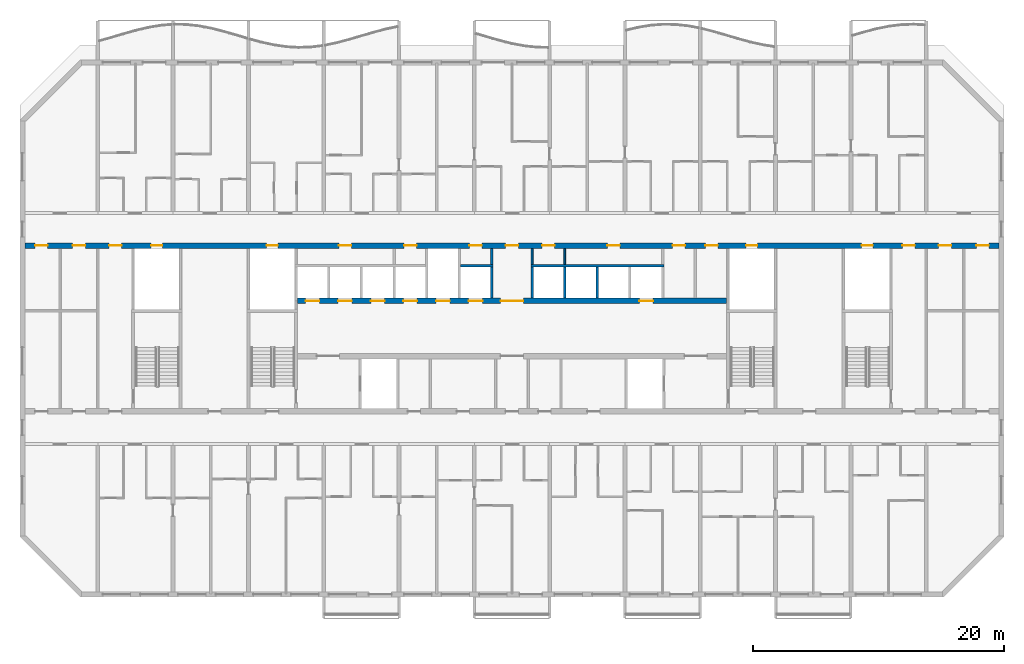
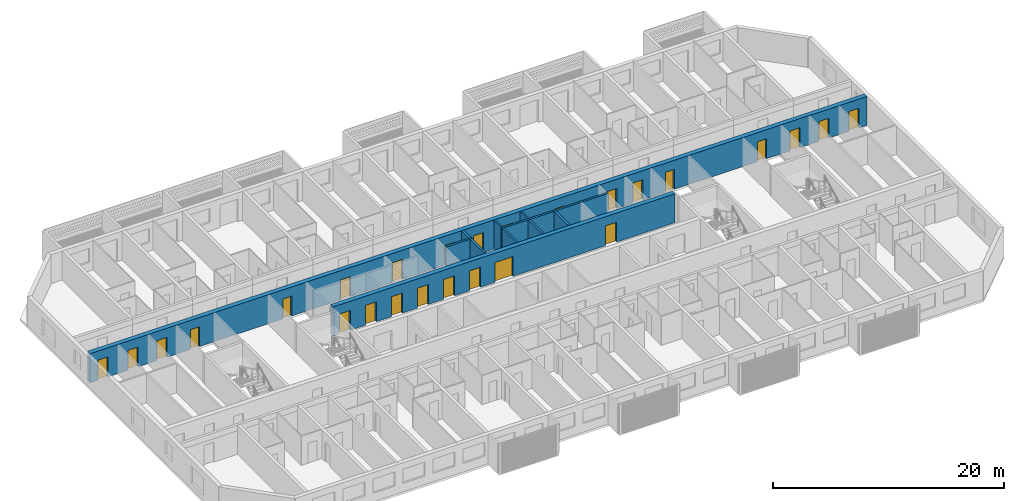
# One storey, part 7 of 32: 26 doors, 11 walls, 26 openings.
"""IFC4 building model written with IfcOpenShell, lengths in metres."""

from ifc_helpers import new_model, si_unit, direction, frame, frame_2d, origin, place, context, subcontext, project, spatial, rectangle, extrude, material, layer, layer_set, type_object, element, fill, save


model = new_model("IFC4")

# Units and contexts
model_context = context("Model", 3, precision=1e-05, world=origin(), true_north=direction((0.0, 1.0)))
body_context = subcontext(model_context, "Body", "Model", "MODEL_VIEW")
ifc_project = project(units=[si_unit("LENGTHUNIT", "METRE"), si_unit("AREAUNIT", "SQUARE_METRE"), si_unit("VOLUMEUNIT", "CUBIC_METRE"), si_unit("PLANEANGLEUNIT", "RADIAN"), si_unit("MASSUNIT", "GRAM", prefix="KILO")], contexts=[model_context])

# Site, building, storey
site_placement = place(None, origin())
site = spatial("IfcSite", under=ifc_project, at=site_placement, CompositionType="ELEMENT")
building_placement = place(site_placement, origin())
building = spatial("IfcBuilding", under=site, at=building_placement, Name="Poui Terraces", CompositionType="ELEMENT")
storey_placement = place(building_placement, frame((0.0, 0.0, 122.39990234375)))
storey = spatial("IfcBuildingStorey", under=building, at=storey_placement, Name="L33", CompositionType="ELEMENT", Elevation=122.39990234375)

# Wall, openings, doors
ifc_material_1 = material(Name="Concrete 65 MPa", Category="concrete")
ifc_layer_1 = layer(ifc_material_1, 0.449951171875)
ifc_layer_set_1 = layer_set([ifc_layer_1], Name="Concrete 65 MPa")
wall_type_1 = type_object("IfcWallType", Name="CORE WALL 450 65 MPA", PredefinedType="SOLIDWALL", material=ifc_layer_set_1)
wall_1_placement = place(storey_placement, frame((33.925048828125, 23.39990234375, 0.0), z_axis=(0.0, 0.0, 1.0), x_axis=(1.0, 0.0, 0.0)))
wall_1 = element("IfcWall", 1, at=wall_1_placement, inside=storey, type_object=wall_type_1, Name="CORE WALL", PredefinedType="SOLIDWALL", context=body_context, shape_type="SweptSolid", body=[
    extrude(rectangle(XDim=34.14990234375, YDim=0.449951171875, at=frame_2d((17.074951171875, 0.0))), origin(), (0.0, 0.0, 1.0), 3.070068359375),
])
opening_1_placement = place(wall_1_placement, frame((16.175048828125, 0.0, 0.0)))
opening_1 = element("IfcOpeningElement", 2, at=opening_1_placement, cuts=wall_1, Name="Opening FDD60", PredefinedType="OPENING", context=body_context, shape_type="SweptSolid", body=[
    extrude(rectangle(XDim=1.800048828125, YDim=2.10009765625, at=frame_2d((0.89990234375, 1.050048828125))), frame((0.0, 0.23486328125, 0.0), z_axis=(0.0, -1.0, 0.0), x_axis=(1.0, 0.0, 0.0)), (0.0, 0.0, 1.0), 0.469970703125),
])
opening_2_placement = place(wall_1_placement, frame((0.625, 0.0, 0.0)))
opening_2 = element("IfcOpeningElement", 3, at=opening_2_placement, cuts=wall_1, Name="Opening LD", PredefinedType="OPENING", context=body_context, shape_type="SweptSolid", body=[
    extrude(rectangle(XDim=1.10009765625, YDim=2.10009765625, at=frame_2d((0.550048828125, 1.050048828125))), frame((0.0, 0.23486328125, 0.0), z_axis=(0.0, -1.0, 0.0), x_axis=(1.0, 0.0, 0.0)), (0.0, 0.0, 1.0), 0.469970703125),
])
opening_3_placement = place(wall_1_placement, frame((3.22509765625, 0.0, 0.0)))
opening_3 = element("IfcOpeningElement", 4, at=opening_3_placement, cuts=wall_1, Name="Opening LD", PredefinedType="OPENING", context=body_context, shape_type="SweptSolid", body=[
    extrude(rectangle(XDim=1.10009765625, YDim=2.10009765625, at=frame_2d((0.550048828125, 1.050048828125))), frame((0.0, 0.23486328125, 0.0), z_axis=(0.0, -1.0, 0.0), x_axis=(1.0, 0.0, 0.0)), (0.0, 0.0, 1.0), 0.469970703125),
])
opening_4_placement = place(wall_1_placement, frame((5.824951171875, 0.0, 0.0)))
opening_4 = element("IfcOpeningElement", 5, at=opening_4_placement, cuts=wall_1, Name="Opening LD", PredefinedType="OPENING", context=body_context, shape_type="SweptSolid", body=[
    extrude(rectangle(XDim=1.10009765625, YDim=2.10009765625, at=frame_2d((0.550048828125, 1.050048828125))), frame((0.0, 0.23486328125, 0.0), z_axis=(0.0, -1.0, 0.0), x_axis=(1.0, 0.0, 0.0)), (0.0, 0.0, 1.0), 0.469970703125),
])
opening_5_placement = place(wall_1_placement, frame((8.425048828125, 0.0, 0.0)))
opening_5 = element("IfcOpeningElement", 6, at=opening_5_placement, cuts=wall_1, Name="Opening LD", PredefinedType="OPENING", context=body_context, shape_type="SweptSolid", body=[
    extrude(rectangle(XDim=1.10009765625, YDim=2.10009765625, at=frame_2d((0.550048828125, 1.050048828125))), frame((0.0, 0.23486328125, 0.0), z_axis=(0.0, -1.0, 0.0), x_axis=(1.0, 0.0, 0.0)), (0.0, 0.0, 1.0), 0.469970703125),
])
opening_6_placement = place(wall_1_placement, frame((11.02490234375, 0.0, 0.0)))
opening_6 = element("IfcOpeningElement", 7, at=opening_6_placement, cuts=wall_1, Name="Opening LD", PredefinedType="OPENING", context=body_context, shape_type="SweptSolid", body=[
    extrude(rectangle(XDim=1.10009765625, YDim=2.10009765625, at=frame_2d((0.550048828125, 1.050048828125))), frame((0.0, 0.23486328125, 0.0), z_axis=(0.0, -1.0, 0.0), x_axis=(1.0, 0.0, 0.0)), (0.0, 0.0, 1.0), 0.469970703125),
])
opening_7_placement = place(wall_1_placement, frame((13.625, 0.0, 0.0)))
opening_7 = element("IfcOpeningElement", 8, at=opening_7_placement, cuts=wall_1, Name="Opening LD", PredefinedType="OPENING", context=body_context, shape_type="SweptSolid", body=[
    extrude(rectangle(XDim=1.10009765625, YDim=2.10009765625, at=frame_2d((0.550048828125, 1.050048828125))), frame((0.0, 0.23486328125, 0.0), z_axis=(0.0, -1.0, 0.0), x_axis=(1.0, 0.0, 0.0)), (0.0, 0.0, 1.0), 0.469970703125),
])
opening_8_placement = place(wall_1_placement, frame((27.22509765625, 0.0, 0.0)))
opening_8 = element("IfcOpeningElement", 9, at=opening_8_placement, cuts=wall_1, Name="Opening LD", PredefinedType="OPENING", context=body_context, shape_type="SweptSolid", body=[
    extrude(rectangle(XDim=1.10009765625, YDim=2.10009765625, at=frame_2d((0.550048828125, 1.050048828125))), frame((0.0, 0.23486328125, 0.0), z_axis=(0.0, -1.0, 0.0), x_axis=(1.0, 0.0, 0.0)), (0.0, 0.0, 1.0), 0.469970703125),
])
ifc_material_2 = material(Name="Steel fire door", Category="steel")
door_type_1 = type_object("IfcDoorType", Name="DOUBLE LOBBY FIRE DOOR 1800 X 2100", OperationType="DOUBLE_DOOR_SINGLE_SWING", PredefinedType="DOOR", material=ifc_material_2)
door_1_placement = place(opening_1_placement, origin())
door_1 = element("IfcDoor", 10, at=door_1_placement, inside=storey, type_object=door_type_1, Name="DOUBLE LOBBY FIRE DOOR 125", OperationType="DOUBLE_DOOR_SINGLE_SWING", OverallHeight=2.10009765625, OverallWidth=1.800048828125, PredefinedType="DOOR", context=body_context, shape_type="SweptSolid", body=[
    extrude(rectangle(XDim=1.800048828125, YDim=2.10009765625, at=frame_2d((0.89990234375, 1.050048828125))), frame((0.0, 0.02490234375, 0.0), z_axis=(0.0, -1.0, 0.0), x_axis=(1.0, 0.0, 0.0)), (0.0, 0.0, 1.0), 0.050048828125),
])
fill(opening_1, door_1)
ifc_material_3 = material(Name="Stainless steel sliding door", Category="steel")
door_type_2 = type_object("IfcDoorType", Name="LIFT LANDING DOOR 1100 X 2100", OperationType="DOUBLE_DOOR_SLIDING", PredefinedType="DOOR", material=ifc_material_3)
door_2_placement = place(opening_2_placement, origin())
door_2 = element("IfcDoor", 11, at=door_2_placement, inside=storey, type_object=door_type_2, Name="LANDING DOOR", OperationType="DOUBLE_DOOR_SLIDING", OverallHeight=2.10009765625, OverallWidth=1.10009765625, PredefinedType="DOOR", context=body_context, shape_type="SweptSolid", body=[
    extrude(rectangle(XDim=1.10009765625, YDim=2.10009765625, at=frame_2d((0.550048828125, 1.050048828125))), frame((0.0, 0.02490234375, 0.0), z_axis=(0.0, -1.0, 0.0), x_axis=(1.0, 0.0, 0.0)), (0.0, 0.0, 1.0), 0.050048828125),
])
fill(opening_2, door_2)
door_3_placement = place(opening_3_placement, origin())
door_3 = element("IfcDoor", 12, at=door_3_placement, inside=storey, type_object=door_type_2, Name="LANDING DOOR", OperationType="DOUBLE_DOOR_SLIDING", OverallHeight=2.10009765625, OverallWidth=1.10009765625, PredefinedType="DOOR", context=body_context, shape_type="SweptSolid", body=[
    extrude(rectangle(XDim=1.10009765625, YDim=2.10009765625, at=frame_2d((0.550048828125, 1.050048828125))), frame((0.0, 0.02490234375, 0.0), z_axis=(0.0, -1.0, 0.0), x_axis=(1.0, 0.0, 0.0)), (0.0, 0.0, 1.0), 0.050048828125),
])
fill(opening_3, door_3)
door_4_placement = place(opening_4_placement, origin())
door_4 = element("IfcDoor", 13, at=door_4_placement, inside=storey, type_object=door_type_2, Name="LANDING DOOR", OperationType="DOUBLE_DOOR_SLIDING", OverallHeight=2.10009765625, OverallWidth=1.10009765625, PredefinedType="DOOR", context=body_context, shape_type="SweptSolid", body=[
    extrude(rectangle(XDim=1.10009765625, YDim=2.10009765625, at=frame_2d((0.550048828125, 1.050048828125))), frame((0.0, 0.02490234375, 0.0), z_axis=(0.0, -1.0, 0.0), x_axis=(1.0, 0.0, 0.0)), (0.0, 0.0, 1.0), 0.050048828125),
])
fill(opening_4, door_4)
door_5_placement = place(opening_5_placement, origin())
door_5 = element("IfcDoor", 14, at=door_5_placement, inside=storey, type_object=door_type_2, Name="LANDING DOOR", OperationType="DOUBLE_DOOR_SLIDING", OverallHeight=2.10009765625, OverallWidth=1.10009765625, PredefinedType="DOOR", context=body_context, shape_type="SweptSolid", body=[
    extrude(rectangle(XDim=1.10009765625, YDim=2.10009765625, at=frame_2d((0.550048828125, 1.050048828125))), frame((0.0, 0.02490234375, 0.0), z_axis=(0.0, -1.0, 0.0), x_axis=(1.0, 0.0, 0.0)), (0.0, 0.0, 1.0), 0.050048828125),
])
fill(opening_5, door_5)
door_6_placement = place(opening_6_placement, origin())
door_6 = element("IfcDoor", 15, at=door_6_placement, inside=storey, type_object=door_type_2, Name="LANDING DOOR", OperationType="DOUBLE_DOOR_SLIDING", OverallHeight=2.10009765625, OverallWidth=1.10009765625, PredefinedType="DOOR", context=body_context, shape_type="SweptSolid", body=[
    extrude(rectangle(XDim=1.10009765625, YDim=2.10009765625, at=frame_2d((0.550048828125, 1.050048828125))), frame((0.0, 0.02490234375, 0.0), z_axis=(0.0, -1.0, 0.0), x_axis=(1.0, 0.0, 0.0)), (0.0, 0.0, 1.0), 0.050048828125),
])
fill(opening_6, door_6)
door_7_placement = place(opening_7_placement, origin())
door_7 = element("IfcDoor", 16, at=door_7_placement, inside=storey, type_object=door_type_2, Name="LANDING DOOR", OperationType="DOUBLE_DOOR_SLIDING", OverallHeight=2.10009765625, OverallWidth=1.10009765625, PredefinedType="DOOR", context=body_context, shape_type="SweptSolid", body=[
    extrude(rectangle(XDim=1.10009765625, YDim=2.10009765625, at=frame_2d((0.550048828125, 1.050048828125))), frame((0.0, 0.02490234375, 0.0), z_axis=(0.0, -1.0, 0.0), x_axis=(1.0, 0.0, 0.0)), (0.0, 0.0, 1.0), 0.050048828125),
])
fill(opening_7, door_7)
door_8_placement = place(opening_8_placement, origin())
door_8 = element("IfcDoor", 17, at=door_8_placement, inside=storey, type_object=door_type_2, Name="LANDING DOOR", OperationType="DOUBLE_DOOR_SLIDING", OverallHeight=2.10009765625, OverallWidth=1.10009765625, PredefinedType="DOOR", context=body_context, shape_type="SweptSolid", body=[
    extrude(rectangle(XDim=1.10009765625, YDim=2.10009765625, at=frame_2d((0.550048828125, 1.050048828125))), frame((0.0, 0.02490234375, 0.0), z_axis=(0.0, -1.0, 0.0), x_axis=(1.0, 0.0, 0.0)), (0.0, 0.0, 1.0), 0.050048828125),
])
fill(opening_8, door_8)

# Walls
ifc_material_4 = material(Name="Fire-rated plasterboard wall")
ifc_layer_2 = layer(ifc_material_4, 0.14990234375)
ifc_layer_set_2 = layer_set([ifc_layer_2], Name="Fire-rated plasterboard wall")
wall_type_2 = type_object("IfcWallType", Name="CORRIDOR WALL 150", PredefinedType="PARTITIONING", material=ifc_layer_set_2)
wall_2_placement = place(storey_placement, frame((52.60009765625, 26.300048828125, 0.0), z_axis=(0.0, 0.0, 1.0), x_axis=(0.0, 1.0, 0.0)))
element("IfcWall", 18, at=wall_2_placement, inside=storey, type_object=wall_type_2, Name="CORRIDOR WALL 150", PredefinedType="PARTITIONING", context=body_context, shape_type="SweptSolid", body=[
    extrude(rectangle(XDim=1.264892578125, YDim=0.14990234375, at=frame_2d((0.63232421875, 0.0))), origin(), (0.0, 0.0, 1.0), 3.070068359375),
])
ifc_material_5 = material(Name="Plasterboard partition")
ifc_layer_3 = layer(ifc_material_5, 0.14990234375)
ifc_layer_set_3 = layer_set([ifc_layer_3], Name="Plasterboard partition")
wall_type_3 = type_object("IfcWallType", Name="PARTITION WALL 150", PredefinedType="PARTITIONING", material=ifc_layer_set_3)
wall_3_placement = place(storey_placement, frame((55.199951171875, 26.300048828125, 0.0), z_axis=(0.0, 0.0, 1.0), x_axis=(0.0, 1.0, 0.0)))
element("IfcWall", 19, at=wall_3_placement, inside=storey, type_object=wall_type_3, Name="PARTITION WALL 150", PredefinedType="PARTITIONING", context=body_context, shape_type="SweptSolid", body=[
    extrude(rectangle(XDim=1.264892578125, YDim=0.14990234375, at=frame_2d((0.63232421875, 0.0))), origin(), (0.0, 0.0, 1.0), 3.070068359375),
])
ifc_material_6 = material(Name="Fire-rated masonry wall", Category="masonry")
ifc_layer_4 = layer(ifc_material_6, 0.199951171875)
ifc_layer_set_4 = layer_set([ifc_layer_4], Name="Fire-rated masonry wall")
wall_type_4 = type_object("IfcWallType", Name="PLANT ROOM WALL 200", PredefinedType="PARTITIONING", material=ifc_layer_set_4)
wall_4_placement = place(storey_placement, frame((49.39990234375, 26.300048828125, 0.0), z_axis=(0.0, 0.0, 1.0), x_axis=(0.0, 1.0, 0.0)))
element("IfcWall", 20, at=wall_4_placement, inside=storey, type_object=wall_type_4, Name="PLANT ROOM WALL 200", PredefinedType="PARTITIONING", context=body_context, shape_type="SweptSolid", body=[
    extrude(rectangle(XDim=1.264892578125, YDim=0.199951171875, at=frame_2d((0.63232421875, 0.0))), origin(), (0.0, 0.0, 1.0), 3.070068359375),
])
ifc_material_7 = material(Name="Fire-rated masonry shaft wall", Category="masonry")
ifc_layer_5 = layer(ifc_material_7, 0.199951171875)
ifc_layer_set_5 = layer_set([ifc_layer_5], Name="Fire-rated masonry shaft wall")
wall_type_5 = type_object("IfcWallType", Name="SHAFT WALL 200", PredefinedType="PARTITIONING", material=ifc_layer_set_5)
wall_5_placement = place(storey_placement, frame((46.89990234375, 26.199951171875, 0.0), z_axis=(0.0, 0.0, 1.0), x_axis=(1.0, 0.0, 0.0)))
element("IfcWall", 21, at=wall_5_placement, inside=storey, type_object=wall_type_5, Name="SHAFT WALL 200", PredefinedType="PARTITIONING", context=body_context, shape_type="SweptSolid", body=[
    extrude(rectangle(XDim=2.60009765625, YDim=0.199951171875, at=frame_2d((1.300048828125, 0.0))), origin(), (0.0, 0.0, 1.0), 3.070068359375),
])
wall_6_placement = place(storey_placement, frame((52.5, 26.199951171875, 0.0), z_axis=(0.0, 0.0, 1.0), x_axis=(1.0, 0.0, 0.0)))
element("IfcWall", 22, at=wall_6_placement, inside=storey, type_object=wall_type_5, Name="SHAFT WALL 200", PredefinedType="PARTITIONING", context=body_context, shape_type="SweptSolid", body=[
    extrude(rectangle(XDim=10.60009765625, YDim=0.199951171875, at=frame_2d((5.300048828125, 0.0))), origin(), (0.0, 0.0, 1.0), 3.070068359375),
])
for number, where, z_axis, x_axis, name in (
    (23, (49.39990234375, 23.635009765625, 0.0), (0.0, 0.0, 1.0), (0.0, 1.0, 0.0), "SHAFT WALL 200"),
    (24, (52.60009765625, 23.635009765625, 0.0), (0.0, 0.0, 1.0), (0.0, 1.0, 0.0), "SHAFT WALL 200"),
    (25, (55.199951171875, 23.635009765625, 0.0), (0.0, 0.0, 1.0), (0.0, 1.0, 0.0), "SHAFT WALL 200"),
    (26, (57.800048828125, 23.635009765625, 0.0), (0.0, 0.0, 1.0), (0.0, 1.0, 0.0), "SHAFT WALL 200"),
):
    element("IfcWall", number, at=place(storey_placement, frame(where, z_axis=z_axis, x_axis=x_axis)), inside=storey, type_object=wall_type_5, Name=name, PredefinedType="PARTITIONING", context=body_context, shape_type="SweptSolid", body=[
        extrude(rectangle(XDim=2.465087890625, YDim=0.199951171875, at=frame_2d((1.232421875, 0.0))), origin(), (0.0, 0.0, 1.0), 3.070068359375),
    ])

# Wall, openings, doors
ifc_layer_6 = layer(ifc_material_1, 0.449951171875)
ifc_layer_set_6 = layer_set([ifc_layer_6], Name="Concrete 65 MPa")
wall_type_6 = type_object("IfcWallType", Name="SPINE WALL 450 65 MPA", PredefinedType="SOLIDWALL", material=ifc_layer_set_6)
wall_7_placement = place(storey_placement, frame((12.199951171875, 27.800048828125, 0.0), z_axis=(0.0, 0.0, 1.0), x_axis=(1.0, 0.0, 0.0)))
wall_7 = element("IfcWall", 27, at=wall_7_placement, inside=storey, type_object=wall_type_6, Name="SPINE WALL", PredefinedType="SOLIDWALL", context=body_context, shape_type="SweptSolid", body=[
    extrude(rectangle(XDim=77.60009765625, YDim=0.449951171875, at=frame_2d((38.800048828125, 0.0))), origin(), (0.0, 0.0, 1.0), 3.070068359375),
])
opening_9_placement = place(wall_7_placement, frame((0.800048828125, 0.0, 0.0)))
opening_9 = element("IfcOpeningElement", 28, at=opening_9_placement, cuts=wall_7, Name="Opening FD60", PredefinedType="OPENING", context=body_context, shape_type="SweptSolid", body=[
    extrude(rectangle(XDim=1.0, YDim=2.10009765625, at=frame_2d((0.5, 1.050048828125))), frame((0.0, 0.23486328125, 0.0), z_axis=(0.0, -1.0, 0.0), x_axis=(1.0, 0.0, 0.0)), (0.0, 0.0, 1.0), 0.469970703125),
])
opening_10_placement = place(wall_7_placement, frame((3.800048828125, 0.0, 0.0)))
opening_10 = element("IfcOpeningElement", 29, at=opening_10_placement, cuts=wall_7, Name="Opening D100", PredefinedType="OPENING", context=body_context, shape_type="SweptSolid", body=[
    extrude(rectangle(XDim=1.0, YDim=2.10009765625, at=frame_2d((0.5, 1.050048828125))), frame((0.0, 0.23486328125, 0.0), z_axis=(0.0, -1.0, 0.0), x_axis=(1.0, 0.0, 0.0)), (0.0, 0.0, 1.0), 0.469970703125),
])
opening_11_placement = place(wall_7_placement, frame((6.699951171875, 0.0, 0.0)))
opening_11 = element("IfcOpeningElement", 30, at=opening_11_placement, cuts=wall_7, Name="Opening FDL", PredefinedType="OPENING", context=body_context, shape_type="SweptSolid", body=[
    extrude(rectangle(XDim=1.0, YDim=2.10009765625, at=frame_2d((0.5, 1.050048828125))), frame((0.0, 0.23486328125, 0.0), z_axis=(0.0, -1.0, 0.0), x_axis=(1.0, 0.0, 0.0)), (0.0, 0.0, 1.0), 0.469970703125),
])
opening_12_placement = place(wall_7_placement, frame((10.050048828125, 0.0, 0.0)))
opening_12 = element("IfcOpeningElement", 31, at=opening_12_placement, cuts=wall_7, Name="Opening FDR", PredefinedType="OPENING", context=body_context, shape_type="SweptSolid", body=[
    extrude(rectangle(XDim=0.89990234375, YDim=2.10009765625, at=frame_2d((0.449951171875, 1.050048828125))), frame((0.0, 0.23486328125, 0.0), z_axis=(0.0, -1.0, 0.0), x_axis=(1.0, 0.0, 0.0)), (0.0, 0.0, 1.0), 0.469970703125),
])
opening_13_placement = place(wall_7_placement, frame((19.25, 0.0, 0.0)))
opening_13 = element("IfcOpeningElement", 32, at=opening_13_placement, cuts=wall_7, Name="Opening FDR", PredefinedType="OPENING", context=body_context, shape_type="SweptSolid", body=[
    extrude(rectangle(XDim=0.89990234375, YDim=2.10009765625, at=frame_2d((0.449951171875, 1.050048828125))), frame((0.0, 0.23486328125, 0.0), z_axis=(0.0, -1.0, 0.0), x_axis=(1.0, 0.0, 0.0)), (0.0, 0.0, 1.0), 0.469970703125),
])
opening_14_placement = place(wall_7_placement, frame((25.0, 0.0, 0.0)))
opening_14 = element("IfcOpeningElement", 33, at=opening_14_placement, cuts=wall_7, Name="Opening FD60", PredefinedType="OPENING", context=body_context, shape_type="SweptSolid", body=[
    extrude(rectangle(XDim=1.0, YDim=2.10009765625, at=frame_2d((0.5, 1.050048828125))), frame((0.0, 0.23486328125, 0.0), z_axis=(0.0, -1.0, 0.0), x_axis=(1.0, 0.0, 0.0)), (0.0, 0.0, 1.0), 0.469970703125),
])
opening_15_placement = place(wall_7_placement, frame((30.199951171875, 0.0, 0.0)))
opening_15 = element("IfcOpeningElement", 34, at=opening_15_placement, cuts=wall_7, Name="Opening FD60", PredefinedType="OPENING", context=body_context, shape_type="SweptSolid", body=[
    extrude(rectangle(XDim=1.0, YDim=2.10009765625, at=frame_2d((0.5, 1.050048828125))), frame((0.0, 0.23486328125, 0.0), z_axis=(0.0, -1.0, 0.0), x_axis=(1.0, 0.0, 0.0)), (0.0, 0.0, 1.0), 0.469970703125),
])
opening_16_placement = place(wall_7_placement, frame((35.39990234375, 0.0, 0.0)))
opening_16 = element("IfcOpeningElement", 35, at=opening_16_placement, cuts=wall_7, Name="Opening FD60", PredefinedType="OPENING", context=body_context, shape_type="SweptSolid", body=[
    extrude(rectangle(XDim=1.0, YDim=2.10009765625, at=frame_2d((0.5, 1.050048828125))), frame((0.0, 0.23486328125, 0.0), z_axis=(0.0, -1.0, 0.0), x_axis=(1.0, 0.0, 0.0)), (0.0, 0.0, 1.0), 0.469970703125),
])
opening_17_placement = place(wall_7_placement, frame((38.300048828125, 0.0, 0.0)))
opening_17 = element("IfcOpeningElement", 36, at=opening_17_placement, cuts=wall_7, Name="Opening FDL", PredefinedType="OPENING", context=body_context, shape_type="SweptSolid", body=[
    extrude(rectangle(XDim=1.0, YDim=2.10009765625, at=frame_2d((0.5, 1.050048828125))), frame((0.0, 0.23486328125, 0.0), z_axis=(0.0, -1.0, 0.0), x_axis=(1.0, 0.0, 0.0)), (0.0, 0.0, 1.0), 0.469970703125),
])
opening_18_placement = place(wall_7_placement, frame((41.199951171875, 0.0, 0.0)))
opening_18 = element("IfcOpeningElement", 37, at=opening_18_placement, cuts=wall_7, Name="Opening FD60", PredefinedType="OPENING", context=body_context, shape_type="SweptSolid", body=[
    extrude(rectangle(XDim=1.0, YDim=2.10009765625, at=frame_2d((0.5, 1.050048828125))), frame((0.0, 0.23486328125, 0.0), z_axis=(0.0, -1.0, 0.0), x_axis=(1.0, 0.0, 0.0)), (0.0, 0.0, 1.0), 0.469970703125),
])
opening_19_placement = place(wall_7_placement, frame((46.39990234375, 0.0, 0.0)))
opening_19 = element("IfcOpeningElement", 38, at=opening_19_placement, cuts=wall_7, Name="Opening FD60", PredefinedType="OPENING", context=body_context, shape_type="SweptSolid", body=[
    extrude(rectangle(XDim=1.0, YDim=2.10009765625, at=frame_2d((0.5, 1.050048828125))), frame((0.0, 0.23486328125, 0.0), z_axis=(0.0, -1.0, 0.0), x_axis=(1.0, 0.0, 0.0)), (0.0, 0.0, 1.0), 0.469970703125),
])
opening_20_placement = place(wall_7_placement, frame((51.60009765625, 0.0, 0.0)))
opening_20 = element("IfcOpeningElement", 39, at=opening_20_placement, cuts=wall_7, Name="Opening FD60", PredefinedType="OPENING", context=body_context, shape_type="SweptSolid", body=[
    extrude(rectangle(XDim=1.0, YDim=2.10009765625, at=frame_2d((0.5, 1.050048828125))), frame((0.0, 0.23486328125, 0.0), z_axis=(0.0, -1.0, 0.0), x_axis=(1.0, 0.0, 0.0)), (0.0, 0.0, 1.0), 0.469970703125),
])
opening_21_placement = place(wall_7_placement, frame((54.199951171875, 0.0, 0.0)))
opening_21 = element("IfcOpeningElement", 40, at=opening_21_placement, cuts=wall_7, Name="Opening FD60", PredefinedType="OPENING", context=body_context, shape_type="SweptSolid", body=[
    extrude(rectangle(XDim=1.0, YDim=2.10009765625, at=frame_2d((0.5, 1.050048828125))), frame((0.0, 0.23486328125, 0.0), z_axis=(0.0, -1.0, 0.0), x_axis=(1.0, 0.0, 0.0)), (0.0, 0.0, 1.0), 0.469970703125),
])
opening_22_placement = place(wall_7_placement, frame((57.449951171875, 0.0, 0.0)))
opening_22 = element("IfcOpeningElement", 41, at=opening_22_placement, cuts=wall_7, Name="Opening FDR", PredefinedType="OPENING", context=body_context, shape_type="SweptSolid", body=[
    extrude(rectangle(XDim=0.89990234375, YDim=2.10009765625, at=frame_2d((0.449951171875, 1.050048828125))), frame((0.0, 0.23486328125, 0.0), z_axis=(0.0, -1.0, 0.0), x_axis=(1.0, 0.0, 0.0)), (0.0, 0.0, 1.0), 0.469970703125),
])
opening_23_placement = place(wall_7_placement, frame((66.64990234375, 0.0, 0.0)))
opening_23 = element("IfcOpeningElement", 42, at=opening_23_placement, cuts=wall_7, Name="Opening FDR", PredefinedType="OPENING", context=body_context, shape_type="SweptSolid", body=[
    extrude(rectangle(XDim=0.89990234375, YDim=2.10009765625, at=frame_2d((0.449951171875, 1.050048828125))), frame((0.0, 0.23486328125, 0.0), z_axis=(0.0, -1.0, 0.0), x_axis=(1.0, 0.0, 0.0)), (0.0, 0.0, 1.0), 0.469970703125),
])
opening_24_placement = place(wall_7_placement, frame((69.89990234375, 0.0, 0.0)))
opening_24 = element("IfcOpeningElement", 43, at=opening_24_placement, cuts=wall_7, Name="Opening FDL", PredefinedType="OPENING", context=body_context, shape_type="SweptSolid", body=[
    extrude(rectangle(XDim=1.0, YDim=2.10009765625, at=frame_2d((0.5, 1.050048828125))), frame((0.0, 0.23486328125, 0.0), z_axis=(0.0, -1.0, 0.0), x_axis=(1.0, 0.0, 0.0)), (0.0, 0.0, 1.0), 0.469970703125),
])
opening_25_placement = place(wall_7_placement, frame((72.800048828125, 0.0, 0.0)))
opening_25 = element("IfcOpeningElement", 44, at=opening_25_placement, cuts=wall_7, Name="Opening FD60", PredefinedType="OPENING", context=body_context, shape_type="SweptSolid", body=[
    extrude(rectangle(XDim=1.0, YDim=2.10009765625, at=frame_2d((0.5, 1.050048828125))), frame((0.0, 0.23486328125, 0.0), z_axis=(0.0, -1.0, 0.0), x_axis=(1.0, 0.0, 0.0)), (0.0, 0.0, 1.0), 0.469970703125),
])
opening_26_placement = place(wall_7_placement, frame((75.800048828125, 0.0, 0.0)))
opening_26 = element("IfcOpeningElement", 45, at=opening_26_placement, cuts=wall_7, Name="Opening FD60", PredefinedType="OPENING", context=body_context, shape_type="SweptSolid", body=[
    extrude(rectangle(XDim=1.0, YDim=2.10009765625, at=frame_2d((0.5, 1.050048828125))), frame((0.0, 0.23486328125, 0.0), z_axis=(0.0, -1.0, 0.0), x_axis=(1.0, 0.0, 0.0)), (0.0, 0.0, 1.0), 0.469970703125),
])
ifc_material_8 = material(Name="Solid core timber door", Category="wood")
door_type_3 = type_object("IfcDoorType", Name="ACCESSIBLE INTERNAL DOOR 1000 X 2100", OperationType="NOTDEFINED", PredefinedType="DOOR", material=ifc_material_8)
door_9_placement = place(opening_10_placement, origin())
door_9 = element("IfcDoor", 46, at=door_9_placement, inside=storey, type_object=door_type_3, Name="ACCESSIBLE INTERNAL DOOR 002", OperationType="SINGLE_SWING_LEFT", OverallHeight=2.10009765625, OverallWidth=1.0, PredefinedType="DOOR", context=body_context, shape_type="SweptSolid", body=[
    extrude(rectangle(XDim=1.0, YDim=2.10009765625, at=frame_2d((0.5, 1.050048828125))), frame((0.0, 0.02490234375, 0.0), z_axis=(0.0, -1.0, 0.0), x_axis=(1.0, 0.0, 0.0)), (0.0, 0.0, 1.0), 0.050048828125),
])
fill(opening_10, door_9)
door_type_4 = type_object("IfcDoorType", Name="LOBBY FIRE DOOR 1000 X 2100", OperationType="NOTDEFINED", PredefinedType="DOOR", material=ifc_material_2)
door_10_placement = place(opening_11_placement, origin())
door_10 = element("IfcDoor", 47, at=door_10_placement, inside=storey, type_object=door_type_4, Name="LOBBY FIRE DOOR 003", OperationType="SINGLE_SWING_LEFT", OverallHeight=2.10009765625, OverallWidth=1.0, PredefinedType="DOOR", context=body_context, shape_type="SweptSolid", body=[
    extrude(rectangle(XDim=1.0, YDim=2.10009765625, at=frame_2d((0.5, 1.050048828125))), frame((0.0, 0.02490234375, 0.0), z_axis=(0.0, -1.0, 0.0), x_axis=(1.0, 0.0, 0.0)), (0.0, 0.0, 1.0), 0.050048828125),
])
fill(opening_11, door_10)
door_11_placement = place(opening_17_placement, origin())
door_11 = element("IfcDoor", 48, at=door_11_placement, inside=storey, type_object=door_type_4, Name="LOBBY FIRE DOOR 009", OperationType="SINGLE_SWING_RIGHT", OverallHeight=2.10009765625, OverallWidth=1.0, PredefinedType="DOOR", context=body_context, shape_type="SweptSolid", body=[
    extrude(rectangle(XDim=1.0, YDim=2.10009765625, at=frame_2d((0.5, 1.050048828125))), frame((0.0, 0.02490234375, 0.0), z_axis=(0.0, -1.0, 0.0), x_axis=(1.0, 0.0, 0.0)), (0.0, 0.0, 1.0), 0.050048828125),
])
fill(opening_17, door_11)
door_12_placement = place(opening_24_placement, origin())
door_12 = element("IfcDoor", 49, at=door_12_placement, inside=storey, type_object=door_type_4, Name="LOBBY FIRE DOOR 016", OperationType="SINGLE_SWING_RIGHT", OverallHeight=2.10009765625, OverallWidth=1.0, PredefinedType="DOOR", context=body_context, shape_type="SweptSolid", body=[
    extrude(rectangle(XDim=1.0, YDim=2.10009765625, at=frame_2d((0.5, 1.050048828125))), frame((0.0, 0.02490234375, 0.0), z_axis=(0.0, -1.0, 0.0), x_axis=(1.0, 0.0, 0.0)), (0.0, 0.0, 1.0), 0.050048828125),
])
fill(opening_24, door_12)
door_type_5 = type_object("IfcDoorType", Name="RISER CUPBOARD DOOR 900 X 2100", OperationType="NOTDEFINED", PredefinedType="DOOR", material=ifc_material_2)
door_13_placement = place(opening_12_placement, origin())
door_13 = element("IfcDoor", 50, at=door_13_placement, inside=storey, type_object=door_type_5, Name="RISER CUPBOARD DOOR 004", OperationType="SINGLE_SWING_LEFT", OverallHeight=2.10009765625, OverallWidth=0.89990234375, PredefinedType="DOOR", context=body_context, shape_type="SweptSolid", body=[
    extrude(rectangle(XDim=0.89990234375, YDim=2.10009765625, at=frame_2d((0.449951171875, 1.050048828125))), frame((0.0, 0.02490234375, 0.0), z_axis=(0.0, -1.0, 0.0), x_axis=(1.0, 0.0, 0.0)), (0.0, 0.0, 1.0), 0.050048828125),
])
fill(opening_12, door_13)
door_14_placement = place(opening_13_placement, origin())
door_14 = element("IfcDoor", 51, at=door_14_placement, inside=storey, type_object=door_type_5, Name="RISER CUPBOARD DOOR 005", OperationType="SINGLE_SWING_LEFT", OverallHeight=2.10009765625, OverallWidth=0.89990234375, PredefinedType="DOOR", context=body_context, shape_type="SweptSolid", body=[
    extrude(rectangle(XDim=0.89990234375, YDim=2.10009765625, at=frame_2d((0.449951171875, 1.050048828125))), frame((0.0, 0.02490234375, 0.0), z_axis=(0.0, -1.0, 0.0), x_axis=(1.0, 0.0, 0.0)), (0.0, 0.0, 1.0), 0.050048828125),
])
fill(opening_13, door_14)
door_15_placement = place(opening_22_placement, origin())
door_15 = element("IfcDoor", 52, at=door_15_placement, inside=storey, type_object=door_type_5, Name="RISER CUPBOARD DOOR 014", OperationType="SINGLE_SWING_RIGHT", OverallHeight=2.10009765625, OverallWidth=0.89990234375, PredefinedType="DOOR", context=body_context, shape_type="SweptSolid", body=[
    extrude(rectangle(XDim=0.89990234375, YDim=2.10009765625, at=frame_2d((0.449951171875, 1.050048828125))), frame((0.0, 0.02490234375, 0.0), z_axis=(0.0, -1.0, 0.0), x_axis=(1.0, 0.0, 0.0)), (0.0, 0.0, 1.0), 0.050048828125),
])
fill(opening_22, door_15)
door_16_placement = place(opening_23_placement, origin())
door_16 = element("IfcDoor", 53, at=door_16_placement, inside=storey, type_object=door_type_5, Name="RISER CUPBOARD DOOR 015", OperationType="SINGLE_SWING_RIGHT", OverallHeight=2.10009765625, OverallWidth=0.89990234375, PredefinedType="DOOR", context=body_context, shape_type="SweptSolid", body=[
    extrude(rectangle(XDim=0.89990234375, YDim=2.10009765625, at=frame_2d((0.449951171875, 1.050048828125))), frame((0.0, 0.02490234375, 0.0), z_axis=(0.0, -1.0, 0.0), x_axis=(1.0, 0.0, 0.0)), (0.0, 0.0, 1.0), 0.050048828125),
])
fill(opening_23, door_16)
door_type_6 = type_object("IfcDoorType", Name="SERVICE ROOM FIRE DOOR 1000 X 2100", OperationType="NOTDEFINED", PredefinedType="DOOR", material=ifc_material_2)
door_17_placement = place(opening_9_placement, origin())
door_17 = element("IfcDoor", 54, at=door_17_placement, inside=storey, type_object=door_type_6, Name="SERVICE ROOM FIRE DOOR 001", OperationType="SINGLE_SWING_RIGHT", OverallHeight=2.10009765625, OverallWidth=1.0, PredefinedType="DOOR", context=body_context, shape_type="SweptSolid", body=[
    extrude(rectangle(XDim=1.0, YDim=2.10009765625, at=frame_2d((0.5, 1.050048828125))), frame((0.0, 0.02490234375, 0.0), z_axis=(0.0, -1.0, 0.0), x_axis=(1.0, 0.0, 0.0)), (0.0, 0.0, 1.0), 0.050048828125),
])
fill(opening_9, door_17)
door_18_placement = place(opening_14_placement, origin())
door_18 = element("IfcDoor", 55, at=door_18_placement, inside=storey, type_object=door_type_6, Name="SERVICE ROOM FIRE DOOR 006", OperationType="SINGLE_SWING_LEFT", OverallHeight=2.10009765625, OverallWidth=1.0, PredefinedType="DOOR", context=body_context, shape_type="SweptSolid", body=[
    extrude(rectangle(XDim=1.0, YDim=2.10009765625, at=frame_2d((0.5, 1.050048828125))), frame((0.0, 0.02490234375, 0.0), z_axis=(0.0, -1.0, 0.0), x_axis=(1.0, 0.0, 0.0)), (0.0, 0.0, 1.0), 0.050048828125),
])
fill(opening_14, door_18)
door_19_placement = place(opening_15_placement, origin())
door_19 = element("IfcDoor", 56, at=door_19_placement, inside=storey, type_object=door_type_6, Name="SERVICE ROOM FIRE DOOR 007", OperationType="SINGLE_SWING_RIGHT", OverallHeight=2.10009765625, OverallWidth=1.0, PredefinedType="DOOR", context=body_context, shape_type="SweptSolid", body=[
    extrude(rectangle(XDim=1.0, YDim=2.10009765625, at=frame_2d((0.5, 1.050048828125))), frame((0.0, 0.02490234375, 0.0), z_axis=(0.0, -1.0, 0.0), x_axis=(1.0, 0.0, 0.0)), (0.0, 0.0, 1.0), 0.050048828125),
])
fill(opening_15, door_19)
door_20_placement = place(opening_16_placement, origin())
door_20 = element("IfcDoor", 57, at=door_20_placement, inside=storey, type_object=door_type_6, Name="SERVICE ROOM FIRE DOOR 008", OperationType="SINGLE_SWING_LEFT", OverallHeight=2.10009765625, OverallWidth=1.0, PredefinedType="DOOR", context=body_context, shape_type="SweptSolid", body=[
    extrude(rectangle(XDim=1.0, YDim=2.10009765625, at=frame_2d((0.5, 1.050048828125))), frame((0.0, 0.02490234375, 0.0), z_axis=(0.0, -1.0, 0.0), x_axis=(1.0, 0.0, 0.0)), (0.0, 0.0, 1.0), 0.050048828125),
])
fill(opening_16, door_20)
door_21_placement = place(opening_18_placement, origin())
door_21 = element("IfcDoor", 58, at=door_21_placement, inside=storey, type_object=door_type_6, Name="SERVICE ROOM FIRE DOOR 010", OperationType="SINGLE_SWING_RIGHT", OverallHeight=2.10009765625, OverallWidth=1.0, PredefinedType="DOOR", context=body_context, shape_type="SweptSolid", body=[
    extrude(rectangle(XDim=1.0, YDim=2.10009765625, at=frame_2d((0.5, 1.050048828125))), frame((0.0, 0.02490234375, 0.0), z_axis=(0.0, -1.0, 0.0), x_axis=(1.0, 0.0, 0.0)), (0.0, 0.0, 1.0), 0.050048828125),
])
fill(opening_18, door_21)
door_22_placement = place(opening_19_placement, origin())
door_22 = element("IfcDoor", 59, at=door_22_placement, inside=storey, type_object=door_type_6, Name="SERVICE ROOM FIRE DOOR 011", OperationType="SINGLE_SWING_LEFT", OverallHeight=2.10009765625, OverallWidth=1.0, PredefinedType="DOOR", context=body_context, shape_type="SweptSolid", body=[
    extrude(rectangle(XDim=1.0, YDim=2.10009765625, at=frame_2d((0.5, 1.050048828125))), frame((0.0, 0.02490234375, 0.0), z_axis=(0.0, -1.0, 0.0), x_axis=(1.0, 0.0, 0.0)), (0.0, 0.0, 1.0), 0.050048828125),
])
fill(opening_19, door_22)
door_23_placement = place(opening_20_placement, origin())
door_23 = element("IfcDoor", 60, at=door_23_placement, inside=storey, type_object=door_type_6, Name="SERVICE ROOM FIRE DOOR 012", OperationType="SINGLE_SWING_RIGHT", OverallHeight=2.10009765625, OverallWidth=1.0, PredefinedType="DOOR", context=body_context, shape_type="SweptSolid", body=[
    extrude(rectangle(XDim=1.0, YDim=2.10009765625, at=frame_2d((0.5, 1.050048828125))), frame((0.0, 0.02490234375, 0.0), z_axis=(0.0, -1.0, 0.0), x_axis=(1.0, 0.0, 0.0)), (0.0, 0.0, 1.0), 0.050048828125),
])
fill(opening_20, door_23)
door_24_placement = place(opening_21_placement, origin())
door_24 = element("IfcDoor", 61, at=door_24_placement, inside=storey, type_object=door_type_6, Name="SERVICE ROOM FIRE DOOR 013", OperationType="SINGLE_SWING_LEFT", OverallHeight=2.10009765625, OverallWidth=1.0, PredefinedType="DOOR", context=body_context, shape_type="SweptSolid", body=[
    extrude(rectangle(XDim=1.0, YDim=2.10009765625, at=frame_2d((0.5, 1.050048828125))), frame((0.0, 0.02490234375, 0.0), z_axis=(0.0, -1.0, 0.0), x_axis=(1.0, 0.0, 0.0)), (0.0, 0.0, 1.0), 0.050048828125),
])
fill(opening_21, door_24)
door_25_placement = place(opening_25_placement, origin())
door_25 = element("IfcDoor", 62, at=door_25_placement, inside=storey, type_object=door_type_6, Name="SERVICE ROOM FIRE DOOR 017", OperationType="SINGLE_SWING_RIGHT", OverallHeight=2.10009765625, OverallWidth=1.0, PredefinedType="DOOR", context=body_context, shape_type="SweptSolid", body=[
    extrude(rectangle(XDim=1.0, YDim=2.10009765625, at=frame_2d((0.5, 1.050048828125))), frame((0.0, 0.02490234375, 0.0), z_axis=(0.0, -1.0, 0.0), x_axis=(1.0, 0.0, 0.0)), (0.0, 0.0, 1.0), 0.050048828125),
])
fill(opening_25, door_25)
door_26_placement = place(opening_26_placement, origin())
door_26 = element("IfcDoor", 63, at=door_26_placement, inside=storey, type_object=door_type_6, Name="SERVICE ROOM FIRE DOOR 018", OperationType="SINGLE_SWING_LEFT", OverallHeight=2.10009765625, OverallWidth=1.0, PredefinedType="DOOR", context=body_context, shape_type="SweptSolid", body=[
    extrude(rectangle(XDim=1.0, YDim=2.10009765625, at=frame_2d((0.5, 1.050048828125))), frame((0.0, 0.02490234375, 0.0), z_axis=(0.0, -1.0, 0.0), x_axis=(1.0, 0.0, 0.0)), (0.0, 0.0, 1.0), 0.050048828125),
])
fill(opening_26, door_26)

save(model, "model.ifc")
